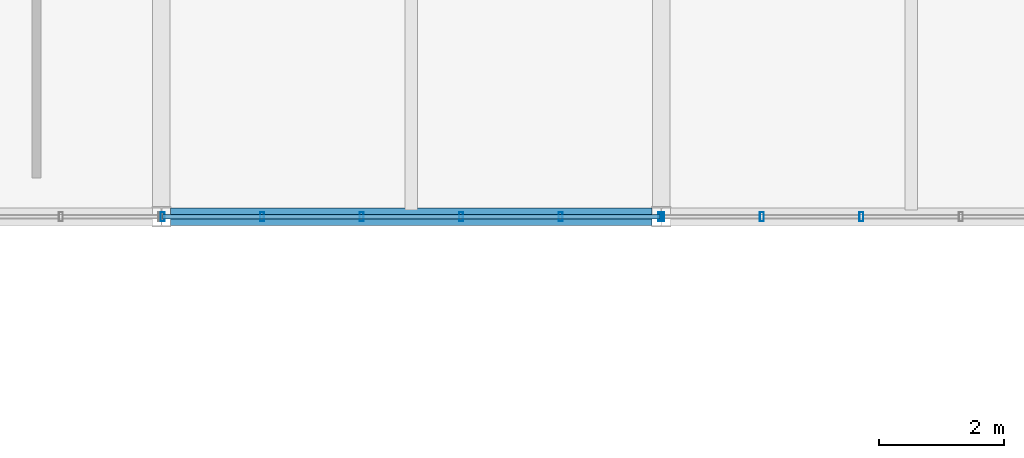
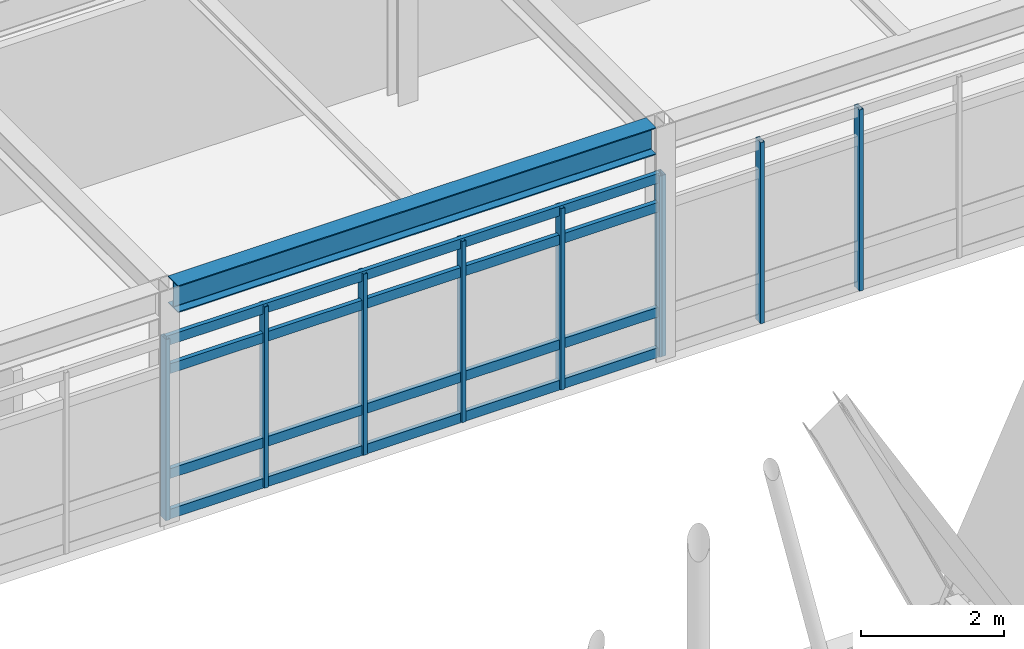
# One storey, part 43 of 85: 13 members, 1 beam, 2 elements without a shape of their own.
"""IFC4 building model written with IfcOpenShell, lengths in metres."""

from ifc_helpers import new_model, si_unit, direction, frame, origin, origin_2d, place, context, subcontext, project, spatial, hollow_rectangle, i_section, extrude, material, material_profile, profile_set, type_object, element, aggregate, save


model = new_model("IFC4")

# Units and contexts
model_context = context("Model", 3, precision=1e-05, world=origin(), true_north=direction((0.0, 1.0)))
body_context = subcontext(model_context, "Body", "Model", "MODEL_VIEW")
ifc_project = project(units=[si_unit("LENGTHUNIT", "METRE"), si_unit("AREAUNIT", "SQUARE_METRE"), si_unit("VOLUMEUNIT", "CUBIC_METRE"), si_unit("PLANEANGLEUNIT", "RADIAN"), si_unit("MASSUNIT", "GRAM", prefix="KILO")], contexts=[model_context])

# Site, building, storey
site_placement = place(None, origin())
site = spatial("IfcSite", under=ifc_project, at=site_placement, CompositionType="ELEMENT")
building_placement = place(site_placement, origin())
building = spatial("IfcBuilding", under=site, at=building_placement, Name="Zulena Civic Courthouse", CompositionType="ELEMENT")
storey_placement = place(building_placement, frame((0.0, 0.0, 25.199951171875)))
storey = spatial("IfcBuildingStorey", under=building, at=storey_placement, Name="L05", CompositionType="ELEMENT", Elevation=25.199951171875)

# Curtain wall, members
ifc_material_1 = material(Name="Double-silver low-E laminated solar-control glass", Category="glass")
curtain_wall_type = type_object("IfcCurtainWallType", Name="CW_7964x3090", PredefinedType="USERDEFINED", material=ifc_material_1)
curtain_wall_1_placement = place(storey_placement, origin())
curtain_wall_1 = element("IfcCurtainWall", 1, at=curtain_wall_1_placement, inside=storey, type_object=curtain_wall_type, Name="cw:V5:L05:5:2", ObjectType="UNITISED CURTAIN WALL", PredefinedType="USERDEFINED")
ifc_material_2 = material(Name="Bronze anodised thermally broken aluminium AA6063-T6", Category="aluminium")
ifc_material_profile_1 = material_profile(ifc_material_2, hollow_rectangle(XDim=0.06494140625, YDim=0.14990234375, WallThickness=0.00390625, at=origin_2d()), Name="CWM150X65X4")
ifc_profile_set_1 = profile_set([ifc_material_profile_1], Name="Bronze anodised thermally broken aluminium AA6063-T6")
member_type_1 = type_object("IfcMemberType", Name="CWMullion_150x65", PredefinedType="MULLION", material=ifc_profile_set_1)
member_1_placement = place(storey_placement, frame((79.20361328125, 46.0, 0.0), z_axis=(0.0, 0.0, 1.0), x_axis=(1.0, 0.0, 0.0)))
member_1 = element("IfcMember", 2, at=member_1_placement, type_object=member_type_1, Name="cw:V5:L05:5:2:mull:3", PredefinedType="MULLION", context=body_context, shape_type="SweptSolid", body=[
    extrude(hollow_rectangle(XDim=0.06494140625, YDim=0.14990234375, WallThickness=0.00390625, at=origin_2d()), origin(), (0.0, 0.0, 1.0), 3.090087890625),
])
member_2_placement = place(storey_placement, frame((77.61083984375, 46.0, 0.0), z_axis=(0.0, 0.0, 1.0), x_axis=(1.0, 0.0, 0.0)))
member_2 = element("IfcMember", 3, at=member_2_placement, type_object=member_type_1, Name="cw:V5:L05:5:2:mull:4", PredefinedType="MULLION", context=body_context, shape_type="SweptSolid", body=[
    extrude(hollow_rectangle(XDim=0.06494140625, YDim=0.14990234375, WallThickness=0.00390625, at=origin_2d()), origin(), (0.0, 0.0, 1.0), 3.090087890625),
])
member_3_placement = place(storey_placement, frame((76.01806640625, 46.0, 0.0), z_axis=(0.0, 0.0, 1.0), x_axis=(1.0, 0.0, 0.0)))
member_3 = element("IfcMember", 4, at=member_3_placement, type_object=member_type_1, Name="cw:V5:L05:5:2:mull:5", PredefinedType="MULLION", context=body_context, shape_type="SweptSolid", body=[
    extrude(hollow_rectangle(XDim=0.06494140625, YDim=0.14990234375, WallThickness=0.00390625, at=origin_2d()), origin(), (0.0, 0.0, 1.0), 3.090087890625),
])
aggregate(curtain_wall_1, [member_1, member_2, member_3])

curtain_wall_2_placement = place(storey_placement, origin())
curtain_wall_2 = element("IfcCurtainWall", 5, at=curtain_wall_2_placement, inside=storey, type_object=curtain_wall_type, Name="cw:V5:L05:5:3", ObjectType="UNITISED CURTAIN WALL", PredefinedType="USERDEFINED")
member_4_placement = place(storey_placement, frame((75.98193359375, 46.0, 0.0), z_axis=(0.0, 0.0, 1.0), x_axis=(1.0, 0.0, 0.0)))
member_4 = element("IfcMember", 6, at=member_4_placement, type_object=member_type_1, Name="cw:V5:L05:5:3:mull:0", PredefinedType="MULLION", context=body_context, shape_type="SweptSolid", body=[
    extrude(hollow_rectangle(XDim=0.06494140625, YDim=0.14990234375, WallThickness=0.00390625, at=origin_2d()), origin(), (0.0, 0.0, 1.0), 3.090087890625),
])
member_5_placement = place(storey_placement, frame((74.38916015625, 46.0, 0.0), z_axis=(0.0, 0.0, 1.0), x_axis=(1.0, 0.0, 0.0)))
member_5 = element("IfcMember", 7, at=member_5_placement, type_object=member_type_1, Name="cw:V5:L05:5:3:mull:1", PredefinedType="MULLION", context=body_context, shape_type="SweptSolid", body=[
    extrude(hollow_rectangle(XDim=0.06494140625, YDim=0.14990234375, WallThickness=0.00390625, at=origin_2d()), origin(), (0.0, 0.0, 1.0), 3.090087890625),
])
member_6_placement = place(storey_placement, frame((72.79638671875, 46.0, 0.0), z_axis=(0.0, 0.0, 1.0), x_axis=(1.0, 0.0, 0.0)))
member_6 = element("IfcMember", 8, at=member_6_placement, type_object=member_type_1, Name="cw:V5:L05:5:3:mull:2", PredefinedType="MULLION", context=body_context, shape_type="SweptSolid", body=[
    extrude(hollow_rectangle(XDim=0.06494140625, YDim=0.14990234375, WallThickness=0.00390625, at=origin_2d()), origin(), (0.0, 0.0, 1.0), 3.090087890625),
])
member_7_placement = place(storey_placement, frame((71.20361328125, 46.0, 0.0), z_axis=(0.0, 0.0, 1.0), x_axis=(1.0, 0.0, 0.0)))
member_7 = element("IfcMember", 9, at=member_7_placement, type_object=member_type_1, Name="cw:V5:L05:5:3:mull:3", PredefinedType="MULLION", context=body_context, shape_type="SweptSolid", body=[
    extrude(hollow_rectangle(XDim=0.06494140625, YDim=0.14990234375, WallThickness=0.00390625, at=origin_2d()), origin(), (0.0, 0.0, 1.0), 3.090087890625),
])
member_8_placement = place(storey_placement, frame((69.61083984375, 46.0, 0.0), z_axis=(0.0, 0.0, 1.0), x_axis=(1.0, 0.0, 0.0)))
member_8 = element("IfcMember", 10, at=member_8_placement, type_object=member_type_1, Name="cw:V5:L05:5:3:mull:4", PredefinedType="MULLION", context=body_context, shape_type="SweptSolid", body=[
    extrude(hollow_rectangle(XDim=0.06494140625, YDim=0.14990234375, WallThickness=0.00390625, at=origin_2d()), origin(), (0.0, 0.0, 1.0), 3.090087890625),
])
member_9_placement = place(storey_placement, frame((68.01806640625, 46.0, 0.0), z_axis=(0.0, 0.0, 1.0), x_axis=(1.0, 0.0, 0.0)))
member_9 = element("IfcMember", 11, at=member_9_placement, type_object=member_type_1, Name="cw:V5:L05:5:3:mull:5", PredefinedType="MULLION", context=body_context, shape_type="SweptSolid", body=[
    extrude(hollow_rectangle(XDim=0.06494140625, YDim=0.14990234375, WallThickness=0.00390625, at=origin_2d()), origin(), (0.0, 0.0, 1.0), 3.090087890625),
])
ifc_material_profile_2 = material_profile(ifc_material_2, hollow_rectangle(XDim=0.070068359375, YDim=0.1650390625, WallThickness=0.00390625, at=origin_2d()), Name="CWT165X70X4")
ifc_profile_set_2 = profile_set([ifc_material_profile_2], Name="Bronze anodised thermally broken aluminium AA6063-T6")
member_type_2 = type_object("IfcMemberType", Name="CWTransom_165x70", PredefinedType="USERDEFINED", material=ifc_profile_set_2)
member_10_placement = place(storey_placement, frame((75.98193359375, 46.0, 0.06005859375), z_axis=(-1.0, 0.0, 0.0), x_axis=(0.0, -1.0, 0.0)))
member_10 = element("IfcMember", 12, at=member_10_placement, type_object=member_type_2, Name="cw:V5:L05:5:3:tran:0", ObjectType="TRANSOM", PredefinedType="USERDEFINED", context=body_context, shape_type="SweptSolid", body=[
    extrude(hollow_rectangle(XDim=0.070068359375, YDim=0.1650390625, WallThickness=0.00390625, at=origin_2d()), origin(), (0.0, 0.0, 1.0), 7.9638671875),
])
member_11_placement = place(storey_placement, frame((75.98193359375, 46.0, 0.75), z_axis=(-1.0, 0.0, 0.0), x_axis=(0.0, -1.0, 0.0)))
member_11 = element("IfcMember", 13, at=member_11_placement, type_object=member_type_2, Name="cw:V5:L05:5:3:tran:1", ObjectType="TRANSOM", PredefinedType="USERDEFINED", context=body_context, shape_type="SweptSolid", body=[
    extrude(hollow_rectangle(XDim=0.070068359375, YDim=0.1650390625, WallThickness=0.00390625, at=origin_2d()), origin(), (0.0, 0.0, 1.0), 7.9638671875),
])
member_12_placement = place(storey_placement, frame((75.98193359375, 46.0, 2.5400390625), z_axis=(-1.0, 0.0, 0.0), x_axis=(0.0, -1.0, 0.0)))
member_12 = element("IfcMember", 14, at=member_12_placement, type_object=member_type_2, Name="cw:V5:L05:5:3:tran:2", ObjectType="TRANSOM", PredefinedType="USERDEFINED", context=body_context, shape_type="SweptSolid", body=[
    extrude(hollow_rectangle(XDim=0.070068359375, YDim=0.1650390625, WallThickness=0.00390625, at=origin_2d()), origin(), (0.0, 0.0, 1.0), 7.9638671875),
])
member_13_placement = place(storey_placement, frame((75.98193359375, 46.0, 3.030029296875), z_axis=(-1.0, 0.0, 0.0), x_axis=(0.0, -1.0, 0.0)))
member_13 = element("IfcMember", 15, at=member_13_placement, type_object=member_type_2, Name="cw:V5:L05:5:3:tran:3", ObjectType="TRANSOM", PredefinedType="USERDEFINED", context=body_context, shape_type="SweptSolid", body=[
    extrude(hollow_rectangle(XDim=0.070068359375, YDim=0.1650390625, WallThickness=0.00390625, at=origin_2d()), origin(), (0.0, 0.0, 1.0), 7.9638671875),
])
aggregate(curtain_wall_2, [member_4, member_5, member_6, member_7, member_8, member_9, member_10, member_11, member_12, member_13])

# Beam
ifc_material_3 = material(Name="Steel ASTM A992 Grade 50", Category="steel")
ifc_material_profile_3 = material_profile(ifc_material_3, i_section(OverallWidth=0.280029296875, OverallDepth=0.462890625, WebThickness=0.0107421875, FlangeThickness=0.017333984375, FilletRadius=0.01025390625, at=origin_2d()), Name="W18X76")
ifc_profile_set_3 = profile_set([ifc_material_profile_3], Name="Steel ASTM A992 Grade 50")
beam_type = type_object("IfcBeamType", Name="Spandrel_W18X76", PredefinedType="SPANDREL", material=ifc_profile_set_3)
beam_placement = place(storey_placement, frame((68.14501953125, 46.0, 3.763427734375), z_axis=(1.0, 0.0, 0.0), x_axis=(0.0, 1.0, 0.0)))
element("IfcBeam", 16, at=beam_placement, inside=storey, type_object=beam_type, Name="beam:X:V5:L05:46.0:68.0_76.0", PredefinedType="SPANDREL", context=body_context, shape_type="SweptSolid", body=[
    extrude(i_section(OverallWidth=0.280029296875, OverallDepth=0.462890625, WebThickness=0.0107421875, FlangeThickness=0.017333984375, FilletRadius=0.01025390625, at=origin_2d()), origin(), (0.0, 0.0, 1.0), 7.7099609375),
])

save(model, "model.ifc")
